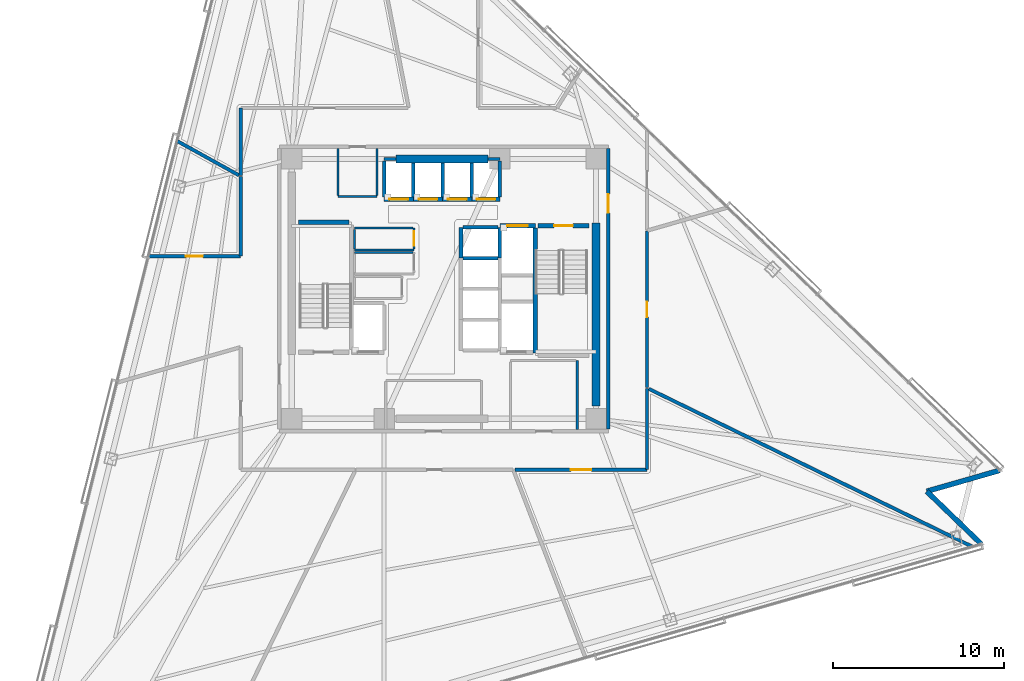
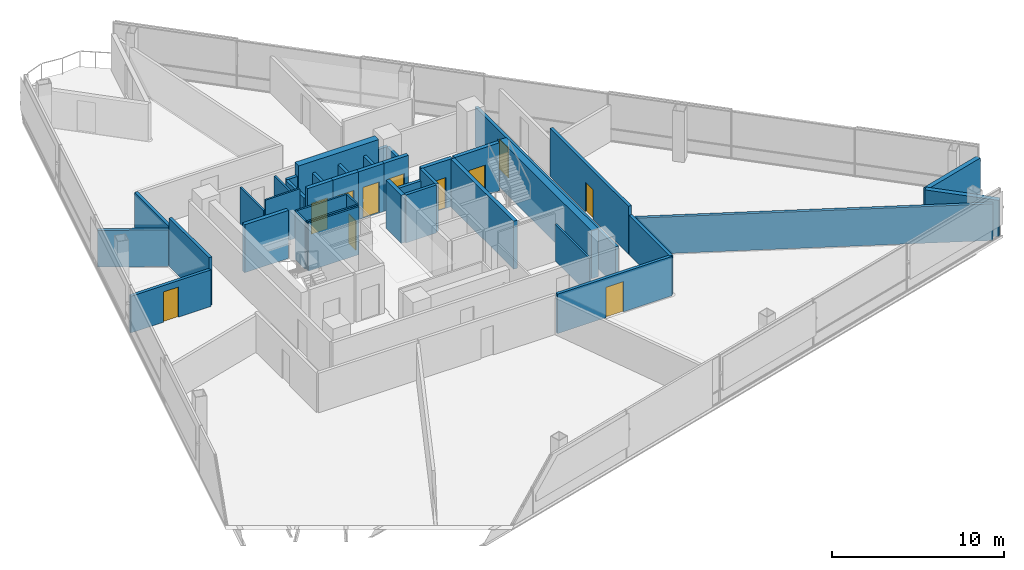
# One storey, part 10 of 17: 41 walls, 11 doors, 11 openings.
"""IFC4 building model written with IfcOpenShell, lengths in metres."""

import ifcopenshell
import ifcopenshell.guid

model = None  # the IFC model being written
_history = None  # IfcOwnerHistory: only IFC2X3 demands one
_inside = {}  # id of a spatial element -> (the spatial element, [elements in it])
_under = {}  # id of a project, library or spatial element -> (it, [spatial elements below it])
_declared = {}  # id of a project -> (the project, [libraries it declares])
_typed = {}  # id of a type object -> (the type object, [elements of that type])
_made_of = {}  # id of a material, layer set ... -> (it, [elements and type objects made of it])


def new_model(schema):
    """Start an empty IFC model of exactly this schema.

    Asked for "IFC4X3", IfcOpenShell would pick the latest addendum, in which some entities
    have other attributes; the version numbers below select the first issue.
    IFC2X3 requires an IfcOwnerHistory on every rooted entity: one is made here for all.
    """
    global model, _history
    if schema == "IFC4X3":
        model = ifcopenshell.file(schema_version=(4, 3, 0, 0))
    else:
        model = ifcopenshell.file(schema=schema)
    _inside.clear()
    _under.clear()
    _declared.clear()
    _typed.clear()
    _made_of.clear()
    _history = None
    if model.schema == "IFC2X3":
        org = make("IfcOrganization", Name="unknown")
        user = make(
            "IfcPersonAndOrganization",
            ThePerson=make("IfcPerson", FamilyName="unknown"),
            TheOrganization=org,
        )
        app = make(
            "IfcApplication",
            ApplicationDeveloper=org,
            Version="unknown",
            ApplicationFullName="unknown",
            ApplicationIdentifier="unknown",
        )
        _history = make(
            "IfcOwnerHistory",
            OwningUser=user,
            OwningApplication=app,
            ChangeAction="ADDED",
            CreationDate=0,
        )
    return model


def make(cls, **values):
    """One entity of the class cls with the attributes given. An attribute that is None is left unset."""
    return model.create_entity(
        cls, **{name: value for name, value in values.items() if value is not None}
    )


def rooted(cls, **values):
    """An entity with a GlobalId (a new one), such as an element, a storey or a relation."""
    return make(cls, GlobalId=ifcopenshell.guid.new(), OwnerHistory=_history, **values)


def si_unit(unit_type, name, prefix=None):
    """IfcSIUnit, for example si_unit("LENGTHUNIT", "METRE", prefix="MILLI")."""
    return make("IfcSIUnit", UnitType=unit_type, Prefix=prefix, Name=name)


def assignment(units):
    """IfcUnitAssignment: the units of a project."""
    return None if units is None else make("IfcUnitAssignment", Units=units)


def point(xyz):
    """IfcCartesianPoint."""
    return None if xyz is None else make("IfcCartesianPoint", Coordinates=xyz)


def direction(xyz):
    """IfcDirection."""
    return None if xyz is None else make("IfcDirection", DirectionRatios=xyz)


def frame(location, z_axis=None, x_axis=None):
    """IfcAxis2Placement3D, a coordinate frame: its origin and axes. An axis left out is left unset."""
    return make(
        "IfcAxis2Placement3D",
        Location=point(location),
        Axis=direction(z_axis),
        RefDirection=direction(x_axis),
    )


def frame_2d(location, x_axis=None):
    """IfcAxis2Placement2D, a coordinate frame in the plane: its origin and x axis."""
    return make(
        "IfcAxis2Placement2D", Location=point(location), RefDirection=direction(x_axis)
    )


def origin():
    """The frame at (0, 0, 0) with its axes left unset."""
    return frame((0.0, 0.0, 0.0))


def place(relative_to, where):
    """IfcLocalPlacement: puts the frame where relative to a parent placement (None: the world)."""
    return make(
        "IfcLocalPlacement", PlacementRelTo=relative_to, RelativePlacement=where
    )


def context(
    kind, dimensions, precision=None, world=None, true_north=None, identifier=None
):
    """IfcGeometricRepresentationContext, for example the 3D "Model" context."""
    return make(
        "IfcGeometricRepresentationContext",
        ContextIdentifier=identifier,
        ContextType=kind,
        CoordinateSpaceDimension=dimensions,
        Precision=precision,
        WorldCoordinateSystem=world,
        TrueNorth=true_north,
    )


def subcontext(parent, identifier, kind, view, scale=None):
    """IfcGeometricRepresentationSubContext, for example "Body" below "Model"."""
    return make(
        "IfcGeometricRepresentationSubContext",
        ContextIdentifier=identifier,
        ContextType=kind,
        ParentContext=parent,
        TargetScale=scale,
        TargetView=view,
    )


def project(units=None, contexts=None):
    """IfcProject with its units and contexts."""
    return rooted(
        "IfcProject",
        Name="project",
        RepresentationContexts=contexts,
        UnitsInContext=assignment(units),
    )


def spatial(cls, under=None, at=None, **own):
    """A site, building, storey or space (cls), placed at a placement, below another one or the project."""
    s = rooted(cls, ObjectPlacement=at, **own)
    if under is not None:
        _under.setdefault(under.id(), (under, []))[1].append(s)
    return s


def profile(cls, at=None, kind="AREA", **sizes):
    """A parametric profile (cls). Its sizes go by their IFC names, for example OverallWidth=200.0."""
    return make(cls, ProfileType=kind, Position=at, **sizes)


def rectangle(**sizes):
    """IfcRectangleProfileDef."""
    return profile("IfcRectangleProfileDef", **sizes)


def extrude(swept, where, along, depth):
    """IfcExtrudedAreaSolid: the profile swept, set in the frame where, extruded along a direction by depth."""
    return make(
        "IfcExtrudedAreaSolid",
        SweptArea=swept,
        Position=where,
        ExtrudedDirection=direction(along),
        Depth=depth,
    )


def shape(context_of_items, identifier, shape_type, items):
    """IfcShapeRepresentation: the items that make up one representation, for example the "Body"."""
    return make(
        "IfcShapeRepresentation",
        ContextOfItems=context_of_items,
        RepresentationIdentifier=identifier,
        RepresentationType=shape_type,
        Items=items,
    )


def material(Name=None, Category=None):
    """IfcMaterial."""
    return make("IfcMaterial", Name=Name, Category=Category)


def layer(
    of_material, thickness, ventilated=None, Name=None, Category=None, Priority=None
):
    """IfcMaterialLayer: one layer of a wall or slab, of a material (None: an air gap)."""
    return make(
        "IfcMaterialLayer",
        Material=of_material,
        LayerThickness=thickness,
        IsVentilated=ventilated,
        Name=Name,
        Category=Category,
        Priority=Priority,
    )


def layer_set(layers, Name=None):
    """IfcMaterialLayerSet."""
    return make("IfcMaterialLayerSet", MaterialLayers=layers, LayerSetName=Name)


def made_of(thing, what):
    """Note that an element or type object is made of a material, layer set ...; save() writes the relation."""
    if what is not None:
        _made_of.setdefault(what.id(), (what, []))[1].append(thing)
    return thing


def type_object(cls, material=None, **own):
    """A type object (cls), such as IfcWallType, which elements share."""
    return made_of(rooted(cls, **own), material)


def element(
    cls,
    number,
    at=None,
    inside=None,
    cuts=None,
    type_object=None,
    material=None,
    context=None,
    identifier="Body",
    shape_type=None,
    held_by="IfcProductDefinitionShape",
    body=None,
    shapes=None,
    **own,
):
    """One element of the class cls, such as IfcWall. Its Tag is "e" and its number.

    at: its placement. inside: the storey or other place that contains it. cuts: it is an
    opening in that element (IfcRelVoidsElement). A single representation is given by context,
    identifier, shape_type and body (its items); several are given by shapes. held_by: the class
    of the entity that holds the representations. save() writes the other relations.
    """
    e = rooted(cls, Tag="e%d" % number, ObjectPlacement=at, **own)
    if body is not None:
        shapes = [shape(context, identifier, shape_type, body)]
    if shapes is not None:
        e.Representation = make(held_by, Representations=shapes)
    if inside is not None:
        _inside.setdefault(inside.id(), (inside, []))[1].append(e)
    if cuts is not None:
        rooted(
            "IfcRelVoidsElement", RelatingBuildingElement=cuts, RelatedOpeningElement=e
        )
    if type_object is not None:
        _typed.setdefault(type_object.id(), (type_object, []))[1].append(e)
    return made_of(e, material)


def fill(opening, filler):
    """IfcRelFillsElement: the door or window that sits in an opening."""
    return rooted(
        "IfcRelFillsElement",
        RelatingOpeningElement=opening,
        RelatedBuildingElement=filler,
    )


def aggregate(whole, parts):
    """IfcRelAggregates: a whole, such as a stair, and the parts it consists of."""
    return rooted("IfcRelAggregates", RelatingObject=whole, RelatedObjects=parts)


def save(model, path):
    """Write the relations noted so far, then the file.

    IfcRelAggregates (storeys below a building ...), IfcRelContainedInSpatialStructure (elements
    in a storey), IfcRelDefinesByType, IfcRelAssociatesMaterial and IfcRelDeclares: one each for
    every whole, place, type object, material and project.
    """
    for whole, parts in _under.values():
        aggregate(whole, parts)
    for where, things in _inside.values():
        rooted(
            "IfcRelContainedInSpatialStructure",
            RelatedElements=things,
            RelatingStructure=where,
        )
    for kind, things in _typed.values():
        rooted("IfcRelDefinesByType", RelatedObjects=things, RelatingType=kind)
    for what, things in _made_of.values():
        rooted("IfcRelAssociatesMaterial", RelatedObjects=things, RelatingMaterial=what)
    for by, libraries in _declared.values():
        rooted("IfcRelDeclares", RelatingContext=by, RelatedDefinitions=libraries)
    model.write(path)


model = new_model("IFC4")

# Units and contexts
model_context = context("Model", 3, precision=1e-05, world=origin(), true_north=direction((0.0, 1.0)))
body_context = subcontext(model_context, "Body", "Model", "MODEL_VIEW")
ifc_project = project(units=[si_unit("LENGTHUNIT", "METRE"), si_unit("AREAUNIT", "SQUARE_METRE"), si_unit("VOLUMEUNIT", "CUBIC_METRE"), si_unit("PLANEANGLEUNIT", "RADIAN"), si_unit("MASSUNIT", "GRAM", prefix="KILO")], contexts=[model_context])

# Site, building, storey
site_placement = place(None, origin())
site = spatial("IfcSite", under=ifc_project, at=site_placement, CompositionType="ELEMENT")
building_placement = place(site_placement, origin())
building = spatial("IfcBuilding", under=site, at=building_placement, Name="Tharavind Bronze Gate", CompositionType="ELEMENT")
storey_placement = place(building_placement, frame((0.0, 0.0, 93.300048828125)))
storey = spatial("IfcBuildingStorey", under=building, at=storey_placement, Name="L23", CompositionType="ELEMENT", Elevation=93.300048828125)

# Walls
ifc_material_1 = material(Name="Concrete C40/50", Category="concrete")
ifc_layer_1 = layer(ifc_material_1, 0.300048828125)
ifc_layer_set_1 = layer_set([ifc_layer_1], Name="Concrete C40/50")
wall_type_1 = type_object("IfcWallType", Name="EXTERIOR SPANDREL WALL 300", PredefinedType="STANDARD", material=ifc_layer_set_1)
wall_1_placement = place(storey_placement, frame((31.438720703125, -14.926513671875, 0.0), z_axis=(0.0, 0.0, 1.0), x_axis=(-0.719317126864, 0.694681848763, 0.0)))
element("IfcWall", 1, at=wall_1_placement, inside=storey, type_object=wall_type_1, Name="L23 notch cheek wall 3A", PredefinedType="STANDARD", context=body_context, shape_type="SweptSolid", body=[
    extrude(rectangle(XDim=4.439697265625, YDim=0.300048828125, at=frame_2d((2.2197265625, 0.0))), origin(), (0.0, 0.0, 1.0), 2.60498046875),
])
wall_2_placement = place(storey_placement, frame((28.2451171875, -11.84228515625, 0.0), z_axis=(0.0, 0.0, 1.0), x_axis=(0.961255810825, 0.275657878821, 0.0)))
element("IfcWall", 2, at=wall_2_placement, inside=storey, type_object=wall_type_1, Name="L23 notch cheek wall 3B", PredefinedType="STANDARD", context=body_context, shape_type="SweptSolid", body=[
    extrude(rectangle(XDim=4.43994140625, YDim=0.300048828125, at=frame_2d((2.219970703125, 0.0))), origin(), (0.0, 0.0, 1.0), 2.60498046875),
])

# Wall, opening, door
ifc_material_2 = material(Name="Aerated Concrete Block", Category="concrete")
ifc_layer_2 = layer(ifc_material_2, 0.199951171875)
ifc_layer_set_2 = layer_set([ifc_layer_2], Name="Aerated Concrete Block")
wall_type_2 = type_object("IfcWallType", Name="FIRE RATED PARTITION 200", PredefinedType="PARTITIONING", material=ifc_layer_set_2)
wall_3_placement = place(storey_placement, frame((9.6201171875, -8.199951171875, 0.0), z_axis=(0.0, 0.0, 1.0), x_axis=(0.0, 1.0, 0.0)))
wall_3 = element("IfcWall", 3, at=wall_3_placement, inside=storey, type_object=wall_type_2, Name="L23 east core corridor wall", PredefinedType="PARTITIONING", context=body_context, shape_type="SweptSolid", body=[
    extrude(rectangle(XDim=16.39990234375, YDim=0.199951171875, at=frame_2d((8.199951171875, 0.0))), origin(), (0.0, 0.0, 1.0), 2.804931640625),
])
opening_1_placement = place(wall_3_placement, frame((12.64990234375, 0.0, 0.0)))
opening_1 = element("IfcOpeningElement", 4, at=opening_1_placement, cuts=wall_3, Name="Opening ID01", PredefinedType="OPENING", context=body_context, shape_type="SweptSolid", body=[
    extrude(rectangle(XDim=1.10009765625, YDim=2.14990234375, at=frame_2d((0.550048828125, 1.074951171875))), frame((0.0, 0.11009765625, 0.0), z_axis=(0.0, -1.0, 0.0), x_axis=(1.0, 0.0, 0.0)), (0.0, 0.0, 1.0), 0.219951171875),
])
ifc_material_3 = material(Name="Fire-Rated Steel", Category="steel")
door_type_1 = type_object("IfcDoorType", Name="STAIR CORE FIRE DOOR 1100X2150", OperationType="SINGLE_SWING_LEFT", PredefinedType="DOOR", material=ifc_material_3)
door_1_placement = place(opening_1_placement, frame((1.10009765625, 0.0, 0.0), z_axis=(0.0, 0.0, 1.0), x_axis=(-1.0, 0.0, 0.0)))
door_1 = element("IfcDoor", 5, at=door_1_placement, inside=storey, type_object=door_type_1, Name="L23 north east stair lobby fire door", OperationType="SINGLE_SWING_LEFT", OverallHeight=2.14990234375, OverallWidth=1.10009765625, PredefinedType="DOOR", context=body_context, shape_type="SweptSolid", body=[
    extrude(rectangle(XDim=1.10009765625, YDim=2.14990234375, at=frame_2d((0.550048828125, 1.074951171875))), frame((0.0, 0.02490234375, 0.0), z_axis=(0.0, -1.0, 0.0), x_axis=(1.0, 0.0, 0.0)), (0.0, 0.0, 1.0), 0.050048828125),
])
fill(opening_1, door_1)

# Walls
wall_4_placement = place(storey_placement, frame((-11.8798828125, 10.579345703125, 0.0), z_axis=(0.0, 0.0, 1.0), x_axis=(0.0, -1.0, 0.0)))
element("IfcWall", 6, at=wall_4_placement, inside=storey, type_object=wall_type_2, Name="L23 Boardroom partition", PredefinedType="PARTITIONING", context=body_context, shape_type="SweptSolid", body=[
    extrude(rectangle(XDim=3.95166015625, YDim=0.199951171875, at=frame_2d((1.975830078125, 0.0))), origin(), (0.0, 0.0, 1.0), 2.804931640625),
])
wall_5_placement = place(storey_placement, frame((-11.985107421875, 6.643310546875, 0.0), z_axis=(0.0, 0.0, 1.0), x_axis=(-0.874606418312, 0.484833593151, 0.0)))
element("IfcWall", 7, at=wall_5_placement, inside=storey, type_object=wall_type_2, Name="L23 Boardroom partition", PredefinedType="PARTITIONING", context=body_context, shape_type="SweptSolid", body=[
    extrude(rectangle(XDim=4.12451171875, YDim=0.199951171875, at=frame_2d((2.062255859375, 0.0))), origin(), (0.0, 0.0, 1.0), 2.60498046875),
])
wall_6_placement = place(storey_placement, frame((-11.8798828125, 6.570556640625, 0.0), z_axis=(0.0, 0.0, 1.0), x_axis=(0.0, -1.0, 0.0)))
element("IfcWall", 8, at=wall_6_placement, inside=storey, type_object=wall_type_2, Name="L23 Open Office Workplace West partition", PredefinedType="PARTITIONING", context=body_context, shape_type="SweptSolid", body=[
    extrude(rectangle(XDim=4.6455078125, YDim=0.199951171875, at=frame_2d((2.32275390625, 0.0))), origin(), (0.0, 0.0, 1.0), 3.409912109375),
])

# Wall, opening, door
wall_7_placement = place(storey_placement, frame((-11.905029296875, 1.89990234375, 0.0), z_axis=(0.0, 0.0, 1.0), x_axis=(-1.0, 0.0, 0.0)))
wall_7 = element("IfcWall", 9, at=wall_7_placement, inside=storey, type_object=wall_type_2, Name="L23 Open Office Workplace West partition", PredefinedType="PARTITIONING", context=body_context, shape_type="SweptSolid", body=[
    extrude(rectangle(XDim=5.3876953125, YDim=0.199951171875, at=frame_2d((2.69384765625, 0.0))), origin(), (0.0, 0.0, 1.0), 2.60498046875),
])
opening_2_placement = place(wall_7_placement, frame((2.194091796875, 0.0, 0.0)))
opening_2 = element("IfcOpeningElement", 10, at=opening_2_placement, cuts=wall_7, Name="Opening ID04", PredefinedType="OPENING", context=body_context, shape_type="SweptSolid", body=[
    extrude(rectangle(XDim=1.0, YDim=2.14990234375, at=frame_2d((0.5, 1.074951171875))), frame((0.0, 0.11009765625, 0.0), z_axis=(0.0, -1.0, 0.0), x_axis=(1.0, 0.0, 0.0)), (0.0, 0.0, 1.0), 0.219951171875),
])
ifc_material_4 = material(Name="Bronze Framed Acoustic Timber", Category="wood")
door_type_2 = type_object("IfcDoorType", Name="OFFICE TENANCY DOOR 1000X2150", OperationType="SINGLE_SWING_RIGHT", PredefinedType="DOOR", material=ifc_material_4)
door_2_placement = place(opening_2_placement, origin())
door_2 = element("IfcDoor", 11, at=door_2_placement, inside=storey, type_object=door_type_2, Name="L23 Open Office Workplace West door", OperationType="SINGLE_SWING_RIGHT", OverallHeight=2.14990234375, OverallWidth=1.0, PredefinedType="DOOR", context=body_context, shape_type="SweptSolid", body=[
    extrude(rectangle(XDim=1.0, YDim=2.14990234375, at=frame_2d((0.5, 1.074951171875))), frame((0.0, 0.02490234375, 0.0), z_axis=(0.0, -1.0, 0.0), x_axis=(1.0, 0.0, 0.0)), (0.0, 0.0, 1.0), 0.050048828125),
])
fill(opening_2, door_2)

wall_8_placement = place(storey_placement, frame((4.173583984375, -10.580078125, 0.0), z_axis=(0.0, 0.0, 1.0), x_axis=(1.0, 0.0, 0.0)))
wall_8 = element("IfcWall", 12, at=wall_8_placement, inside=storey, type_object=wall_type_2, Name="L23 Client Briefing Room partition", PredefinedType="PARTITIONING", context=body_context, shape_type="SweptSolid", body=[
    extrude(rectangle(XDim=7.705810546875, YDim=0.199951171875, at=frame_2d((3.85302734375, 0.0))), origin(), (0.0, 0.0, 1.0), 2.804931640625),
])
opening_3_placement = place(wall_8_placement, frame((3.2529296875, 0.0, 0.0)))
opening_3 = element("IfcOpeningElement", 13, at=opening_3_placement, cuts=wall_8, Name="Opening ID05", PredefinedType="OPENING", context=body_context, shape_type="SweptSolid", body=[
    extrude(rectangle(XDim=1.199951171875, YDim=2.14990234375, at=frame_2d((0.60009765625, 1.074951171875))), frame((0.0, 0.11009765625, 0.0), z_axis=(0.0, -1.0, 0.0), x_axis=(1.0, 0.0, 0.0)), (0.0, 0.0, 1.0), 0.219951171875),
])
ifc_material_5 = material(Name="Acoustic Laminated Glass", Category="glass")
door_type_3 = type_object("IfcDoorType", Name="MEETING ROOM GLAZED DOOR 1200X2150", OperationType="SINGLE_SWING_LEFT", PredefinedType="DOOR", material=ifc_material_5)
door_3_placement = place(opening_3_placement, origin())
door_3 = element("IfcDoor", 14, at=door_3_placement, inside=storey, type_object=door_type_3, Name="L23 Client Briefing Room door", OperationType="SINGLE_SWING_LEFT", OverallHeight=2.14990234375, OverallWidth=1.199951171875, PredefinedType="DOOR", context=body_context, shape_type="SweptSolid", body=[
    extrude(rectangle(XDim=1.199951171875, YDim=2.14990234375, at=frame_2d((0.60009765625, 1.074951171875))), frame((0.0, 0.02490234375, 0.0), z_axis=(0.0, -1.0, 0.0), x_axis=(1.0, 0.0, 0.0)), (0.0, 0.0, 1.0), 0.050048828125),
])
fill(opening_3, door_3)

# Walls
wall_9_placement = place(storey_placement, frame((11.8798828125, -10.579345703125, 0.0), z_axis=(0.0, 0.0, 1.0), x_axis=(0.0, 1.0, 0.0)))
element("IfcWall", 15, at=wall_9_placement, inside=storey, type_object=wall_type_2, Name="L23 Client Briefing Room partition", PredefinedType="PARTITIONING", context=body_context, shape_type="SweptSolid", body=[
    extrude(rectangle(XDim=4.7451171875, YDim=0.199951171875, at=frame_2d((2.37255859375, 0.0))), origin(), (0.0, 0.0, 1.0), 2.804931640625),
])
wall_10_placement = place(storey_placement, frame((11.985107421875, -5.845458984375, 0.0), z_axis=(0.0, 0.0, 1.0), x_axis=(0.898791396377, -0.438376579894, 0.0)))
element("IfcWall", 16, at=wall_10_placement, inside=storey, type_object=wall_type_2, Name="L23 Client Briefing Room partition", PredefinedType="PARTITIONING", context=body_context, shape_type="SweptSolid", body=[
    extrude(rectangle(XDim=21.059326171875, YDim=0.199951171875, at=frame_2d((10.52978515625, 0.0))), origin(), (0.0, 0.0, 1.0), 2.60498046875),
])

# Wall, opening, door
wall_11_placement = place(storey_placement, frame((11.8798828125, -5.778564453125, 0.0), z_axis=(0.0, 0.0, 1.0), x_axis=(0.0, 1.0, 0.0)))
wall_11 = element("IfcWall", 17, at=wall_11_placement, inside=storey, type_object=wall_type_2, Name="L23 Tea Pantry partition", PredefinedType="PARTITIONING", context=body_context, shape_type="SweptSolid", body=[
    extrude(rectangle(XDim=9.166259765625, YDim=0.199951171875, at=frame_2d((4.5830078125, 0.0))), origin(), (0.0, 0.0, 1.0), 3.409912109375),
])
opening_4_placement = place(wall_11_placement, frame((4.133056640625, 0.0, 0.0)))
opening_4 = element("IfcOpeningElement", 18, at=opening_4_placement, cuts=wall_11, Name="Opening ID07", PredefinedType="OPENING", context=body_context, shape_type="SweptSolid", body=[
    extrude(rectangle(XDim=0.89990234375, YDim=2.10009765625, at=frame_2d((0.449951171875, 1.050048828125))), frame((0.0, 0.11009765625, 0.0), z_axis=(0.0, -1.0, 0.0), x_axis=(1.0, 0.0, 0.0)), (0.0, 0.0, 1.0), 0.219951171875),
])
ifc_material_6 = material(Name="Galvanised Fire Steel", Category="steel")
door_type_4 = type_object("IfcDoorType", Name="PLANT AND RISER FIRE DOOR 900X2100", OperationType="SINGLE_SWING_LEFT", PredefinedType="DOOR", material=ifc_material_6)
door_4_placement = place(opening_4_placement, origin())
door_4 = element("IfcDoor", 19, at=door_4_placement, inside=storey, type_object=door_type_4, Name="L23 Tea Pantry door", OperationType="SINGLE_SWING_LEFT", OverallHeight=2.10009765625, OverallWidth=0.89990234375, PredefinedType="DOOR", context=body_context, shape_type="SweptSolid", body=[
    extrude(rectangle(XDim=0.89990234375, YDim=2.10009765625, at=frame_2d((0.449951171875, 1.050048828125))), frame((0.0, 0.02490234375, 0.0), z_axis=(0.0, -1.0, 0.0), x_axis=(1.0, 0.0, 0.0)), (0.0, 0.0, 1.0), 0.050048828125),
])
fill(opening_4, door_4)

# Wall
ifc_material_7 = material(Name="Metal Stud Gypsum Partition", Category="gypsum")
ifc_layer_3 = layer(ifc_material_7, 0.1201171875)
ifc_layer_set_3 = layer_set([ifc_layer_3], Name="Metal Stud Gypsum Partition")
wall_type_3 = type_object("IfcWallType", Name="INTERIOR PARTITION WALL 120", PredefinedType="PARTITIONING", material=ifc_layer_set_3)
wall_12_placement = place(storey_placement, frame((-5.219970703125, 2.280029296875, 0.0), z_axis=(0.0, 0.0, 1.0), x_axis=(1.0, 0.0, 0.0)))
element("IfcWall", 20, at=wall_12_placement, inside=storey, type_object=wall_type_3, Name="L23 Housekeeping Linen Store partition 1", PredefinedType="PARTITIONING", context=body_context, shape_type="SweptSolid", body=[
    extrude(rectangle(XDim=3.469970703125, YDim=0.1201171875, at=frame_2d((1.73486328125, 0.0))), origin(), (0.0, 0.0, 1.0), 3.409912109375),
])

# Wall, opening, door
wall_13_placement = place(storey_placement, frame((-1.75, 2.344970703125, 0.0), z_axis=(0.0, 0.0, 1.0), x_axis=(0.0, 1.0, 0.0)))
wall_13 = element("IfcWall", 21, at=wall_13_placement, inside=storey, type_object=wall_type_3, Name="L23 Housekeeping Linen Store partition 2", PredefinedType="PARTITIONING", context=body_context, shape_type="SweptSolid", body=[
    extrude(rectangle(XDim=1.205078125, YDim=0.1201171875, at=frame_2d((0.6025390625, 0.0))), origin(), (0.0, 0.0, 1.0), 3.409912109375),
])
opening_5_placement = place(wall_13_placement, frame((0.177001953125, 0.0, 0.0)))
opening_5 = element("IfcOpeningElement", 22, at=opening_5_placement, cuts=wall_13, Name="Opening ID06", PredefinedType="OPENING", context=body_context, shape_type="SweptSolid", body=[
    extrude(rectangle(XDim=0.85009765625, YDim=2.10009765625, at=frame_2d((0.425048828125, 1.050048828125))), frame((0.0, 0.07005859375, 0.0), z_axis=(0.0, -1.0, 0.0), x_axis=(1.0, 0.0, 0.0)), (0.0, 0.0, 1.0), 0.1401171875),
])
ifc_material_8 = material(Name="Moisture-Resistant Timber", Category="wood")
door_type_5 = type_object("IfcDoorType", Name="BATHROOM PRIVACY DOOR 850X2100", OperationType="SINGLE_SWING_RIGHT", PredefinedType="DOOR", material=ifc_material_8)
door_5_placement = place(opening_5_placement, frame((0.85009765625, 0.0, 0.0), z_axis=(0.0, 0.0, 1.0), x_axis=(-1.0, 0.0, 0.0)))
door_5 = element("IfcDoor", 23, at=door_5_placement, inside=storey, type_object=door_type_5, Name="L23 Housekeeping Linen Store door", OperationType="SINGLE_SWING_RIGHT", OverallHeight=2.10009765625, OverallWidth=0.85009765625, PredefinedType="DOOR", context=body_context, shape_type="SweptSolid", body=[
    extrude(rectangle(XDim=0.85009765625, YDim=2.10009765625, at=frame_2d((0.425048828125, 1.050048828125))), frame((0.0, 0.02490234375, 0.0), z_axis=(0.0, -1.0, 0.0), x_axis=(1.0, 0.0, 0.0)), (0.0, 0.0, 1.0), 0.050048828125),
])
fill(opening_5, door_5)

# Walls
wall_14_placement = place(storey_placement, frame((-1.81494140625, 3.550048828125, 0.0), z_axis=(0.0, 0.0, 1.0), x_axis=(-1.0, 0.0, 0.0)))
element("IfcWall", 24, at=wall_14_placement, inside=storey, type_object=wall_type_3, Name="L23 Housekeeping Linen Store partition 3", PredefinedType="PARTITIONING", context=body_context, shape_type="SweptSolid", body=[
    extrude(rectangle(XDim=3.405029296875, YDim=0.1201171875, at=frame_2d((1.70263671875, 0.0))), origin(), (0.0, 0.0, 1.0), 3.409912109375),
])
wall_15_placement = place(storey_placement, frame((-5.219970703125, 3.485107421875, 0.0), z_axis=(0.0, 0.0, 1.0), x_axis=(0.0, -1.0, 0.0)))
element("IfcWall", 25, at=wall_15_placement, inside=storey, type_object=wall_type_3, Name="L23 Housekeeping Linen Store partition 4", PredefinedType="PARTITIONING", context=body_context, shape_type="SweptSolid", body=[
    extrude(rectangle(XDim=1.14013671875, YDim=0.1201171875, at=frame_2d((0.570068359375, 0.0))), origin(), (0.0, 0.0, 1.0), 3.409912109375),
])
wall_16_placement = place(storey_placement, frame((-1.81494140625, 2.1201171875, 0.0), z_axis=(0.0, 0.0, 1.0), x_axis=(-1.0, 0.0, 0.0)))
element("IfcWall", 26, at=wall_16_placement, inside=storey, type_object=wall_type_3, Name="L23 Comms Data Room partition 3", PredefinedType="PARTITIONING", context=body_context, shape_type="SweptSolid", body=[
    extrude(rectangle(XDim=3.405029296875, YDim=0.1201171875, at=frame_2d((1.70263671875, 0.0))), origin(), (0.0, 0.0, 1.0), 3.409912109375),
])
wall_17_placement = place(storey_placement, frame((-6.199951171875, 5.39990234375, 0.0), z_axis=(0.0, 0.0, 1.0), x_axis=(1.0, 0.0, 0.0)))
element("IfcWall", 27, at=wall_17_placement, inside=storey, type_object=wall_type_3, Name="L23 Electrical Switch Cupboard partition 1", PredefinedType="PARTITIONING", context=body_context, shape_type="SweptSolid", body=[
    extrude(rectangle(XDim=2.300048828125, YDim=0.1201171875, at=frame_2d((1.14990234375, 0.0))), origin(), (0.0, 0.0, 1.0), 3.409912109375),
])
for number, where, z_axis, x_axis, name in (
    (28, (-3.89990234375, 5.465087890625, 0.0), (0.0, 0.0, 1.0), (0.0, 1.0, 0.0), "L23 Electrical Switch Cupboard partition 2"),
    (29, (-6.199951171875, 8.215087890625, 0.0), (0.0, 0.0, 1.0), (0.0, -1.0, 0.0), "L23 Electrical Switch Cupboard partition 4"),
):
    element("IfcWall", number, at=place(storey_placement, frame(where, z_axis=z_axis, x_axis=x_axis)), inside=storey, type_object=wall_type_3, Name=name, PredefinedType="PARTITIONING", context=body_context, shape_type="SweptSolid", body=[
        extrude(rectangle(XDim=2.75, YDim=0.1201171875, at=frame_2d((1.375, 0.0))), origin(), (0.0, 0.0, 1.0), 2.60498046875),
    ])
wall_18_placement = place(storey_placement, frame((7.800048828125, -8.215087890625, 0.0), z_axis=(0.0, 0.0, 1.0), x_axis=(0.0, 1.0, 0.0)))
element("IfcWall", 30, at=wall_18_placement, inside=storey, type_object=wall_type_3, Name="L23 Telecom Metering Room partition 2", PredefinedType="PARTITIONING", context=body_context, shape_type="SweptSolid", body=[
    extrude(rectangle(XDim=4.01513671875, YDim=0.1201171875, at=frame_2d((2.007568359375, 0.0))), origin(), (0.0, 0.0, 1.0), 2.60498046875),
])
ifc_material_9 = material(Name="Concrete C50/60", Category="concrete")
ifc_layer_4 = layer(ifc_material_9, 0.25)
ifc_layer_set_4 = layer_set([ifc_layer_4], Name="Concrete C50/60")
wall_type_4 = type_object("IfcWallType", Name="RC CORE SHEAR WALL 250", PredefinedType="SHEAR", material=ifc_layer_set_4)
wall_19_placement = place(storey_placement, frame((-8.5, 3.89990234375, 0.0), z_axis=(0.0, 0.0, 1.0), x_axis=(1.0, 0.0, 0.0)))
element("IfcWall", 31, at=wall_19_placement, inside=storey, type_object=wall_type_4, Name="L23 ST1 shaft north wall", PredefinedType="SHEAR", context=body_context, shape_type="SweptSolid", body=[
    extrude(rectangle(XDim=2.949951171875, YDim=0.25, at=frame_2d((1.47509765625, 0.0))), origin(), (0.0, 0.0, 1.0), 3.409912109375),
])
wall_20_placement = place(storey_placement, frame((5.35009765625, -3.75, 0.0), z_axis=(0.0, 0.0, 1.0), x_axis=(0.0, 1.0, 0.0)))
element("IfcWall", 32, at=wall_20_placement, inside=storey, type_object=wall_type_4, Name="L23 ST2 shaft west wall", PredefinedType="SHEAR", context=body_context, shape_type="SweptSolid", body=[
    extrude(rectangle(XDim=7.300048828125, YDim=0.25, at=frame_2d((3.64990234375, 0.0))), origin(), (0.0, 0.0, 1.0), 3.409912109375),
])

# Wall, opening, door
wall_21_placement = place(storey_placement, frame((5.5, 3.699951171875, 0.0), z_axis=(0.0, 0.0, 1.0), x_axis=(1.0, 0.0, 0.0)))
wall_21 = element("IfcWall", 33, at=wall_21_placement, inside=storey, type_object=wall_type_4, Name="L23 ST2 shaft north wall", PredefinedType="SHEAR", context=body_context, shape_type="SweptSolid", body=[
    extrude(rectangle(XDim=3.0, YDim=0.25, at=frame_2d((1.5, 0.0))), origin(), (0.0, 0.0, 1.0), 3.409912109375),
])
opening_6_placement = place(wall_21_placement, frame((0.949951171875, 0.0, 0.0)))
opening_6 = element("IfcOpeningElement", 34, at=opening_6_placement, cuts=wall_21, Name="Opening ID01", PredefinedType="OPENING", context=body_context, shape_type="SweptSolid", body=[
    extrude(rectangle(XDim=1.10009765625, YDim=2.14990234375, at=frame_2d((0.550048828125, 1.074951171875))), frame((0.0, 0.135, 0.0), z_axis=(0.0, -1.0, 0.0), x_axis=(1.0, 0.0, 0.0)), (0.0, 0.0, 1.0), 0.27),
])
door_6_placement = place(opening_6_placement, frame((1.10009765625, 0.0, 0.0), z_axis=(0.0, 0.0, 1.0), x_axis=(-1.0, 0.0, 0.0)))
door_6 = element("IfcDoor", 35, at=door_6_placement, inside=storey, type_object=door_type_1, Name="L23 exit stair ST2 fire door", OperationType="SINGLE_SWING_LEFT", OverallHeight=2.14990234375, OverallWidth=1.10009765625, PredefinedType="DOOR", context=body_context, shape_type="SweptSolid", body=[
    extrude(rectangle(XDim=1.10009765625, YDim=2.14990234375, at=frame_2d((0.550048828125, 1.074951171875))), frame((0.0, 0.02490234375, 0.0), z_axis=(0.0, -1.0, 0.0), x_axis=(1.0, 0.0, 0.0)), (0.0, 0.0, 1.0), 0.050048828125),
])
fill(opening_6, door_6)

wall_22_placement = place(storey_placement, frame((-3.5, 5.25, 0.0), z_axis=(0.0, 0.0, 1.0), x_axis=(1.0, 0.0, 0.0)))
wall_22 = element("IfcWall", 36, at=wall_22_placement, inside=storey, type_object=wall_type_4, Name="L23 lift PL5 shaft front wall", PredefinedType="SHEAR", context=body_context, shape_type="SweptSolid", body=[
    extrude(rectangle(XDim=1.71240234375, YDim=0.25, at=frame_2d((0.856201171875, 0.0))), origin(), (0.0, 0.0, 1.0), 3.409912109375),
])
opening_7_placement = place(wall_22_placement, frame((0.305908203125, 0.0, 0.0)))
opening_7 = element("IfcOpeningElement", 37, at=opening_7_placement, cuts=wall_22, Name="Opening LD01", PredefinedType="OPENING", context=body_context, shape_type="SweptSolid", body=[
    extrude(rectangle(XDim=1.10009765625, YDim=2.199951171875, at=frame_2d((0.550048828125, 1.10009765625))), frame((0.0, 0.135, 0.0), z_axis=(0.0, -1.0, 0.0), x_axis=(1.0, 0.0, 0.0)), (0.0, 0.0, 1.0), 0.27),
])
ifc_material_10 = material(Name="Brushed Bronze Stainless Steel", Category="steel")
door_type_6 = type_object("IfcDoorType", Name="LIFT LANDING SLIDING DOOR 1100X2200", OperationType="SLIDING_TO_LEFT", PredefinedType="DOOR", material=ifc_material_10)
door_7_placement = place(opening_7_placement, origin())
door_7 = element("IfcDoor", 38, at=door_7_placement, inside=storey, type_object=door_type_6, Name="L23 lift PL5 sliding landing door", OperationType="SLIDING_TO_LEFT", OverallHeight=2.199951171875, OverallWidth=1.10009765625, PredefinedType="DOOR", context=body_context, shape_type="SweptSolid", body=[
    extrude(rectangle(XDim=1.10009765625, YDim=2.199951171875, at=frame_2d((0.550048828125, 1.10009765625))), frame((0.0, 0.02490234375, 0.0), z_axis=(0.0, -1.0, 0.0), x_axis=(1.0, 0.0, 0.0)), (0.0, 0.0, 1.0), 0.050048828125),
])
fill(opening_7, door_7)

wall_23_placement = place(storey_placement, frame((-1.78759765625, 5.25, 0.0), z_axis=(0.0, 0.0, 1.0), x_axis=(1.0, 0.0, 0.0)))
wall_23 = element("IfcWall", 39, at=wall_23_placement, inside=storey, type_object=wall_type_4, Name="L23 lift PL6 shaft front wall", PredefinedType="SHEAR", context=body_context, shape_type="SweptSolid", body=[
    extrude(rectangle(XDim=1.712646484375, YDim=0.25, at=frame_2d((0.8564453125, 0.0))), origin(), (0.0, 0.0, 1.0), 3.409912109375),
])
opening_8_placement = place(wall_23_placement, frame((0.305908203125, 0.0, 0.0)))
opening_8 = element("IfcOpeningElement", 40, at=opening_8_placement, cuts=wall_23, Name="Opening LD01", PredefinedType="OPENING", context=body_context, shape_type="SweptSolid", body=[
    extrude(rectangle(XDim=1.10009765625, YDim=2.199951171875, at=frame_2d((0.550048828125, 1.10009765625))), frame((0.0, 0.135, 0.0), z_axis=(0.0, -1.0, 0.0), x_axis=(1.0, 0.0, 0.0)), (0.0, 0.0, 1.0), 0.27),
])
door_8_placement = place(opening_8_placement, origin())
door_8 = element("IfcDoor", 41, at=door_8_placement, inside=storey, type_object=door_type_6, Name="L23 lift PL6 sliding landing door", OperationType="SLIDING_TO_LEFT", OverallHeight=2.199951171875, OverallWidth=1.10009765625, PredefinedType="DOOR", context=body_context, shape_type="SweptSolid", body=[
    extrude(rectangle(XDim=1.10009765625, YDim=2.199951171875, at=frame_2d((0.550048828125, 1.10009765625))), frame((0.0, 0.02490234375, 0.0), z_axis=(0.0, -1.0, 0.0), x_axis=(1.0, 0.0, 0.0)), (0.0, 0.0, 1.0), 0.050048828125),
])
fill(opening_8, door_8)

wall_24_placement = place(storey_placement, frame((-0.074951171875, 5.25, 0.0), z_axis=(0.0, 0.0, 1.0), x_axis=(1.0, 0.0, 0.0)))
wall_24 = element("IfcWall", 42, at=wall_24_placement, inside=storey, type_object=wall_type_4, Name="L23 lift PL7 shaft front wall", PredefinedType="SHEAR", context=body_context, shape_type="SweptSolid", body=[
    extrude(rectangle(XDim=1.71240234375, YDim=0.25, at=frame_2d((0.856201171875, 0.0))), origin(), (0.0, 0.0, 1.0), 3.409912109375),
])
opening_9_placement = place(wall_24_placement, frame((0.305908203125, 0.0, 0.0)))
opening_9 = element("IfcOpeningElement", 43, at=opening_9_placement, cuts=wall_24, Name="Opening LD01", PredefinedType="OPENING", context=body_context, shape_type="SweptSolid", body=[
    extrude(rectangle(XDim=1.10009765625, YDim=2.199951171875, at=frame_2d((0.550048828125, 1.10009765625))), frame((0.0, 0.135, 0.0), z_axis=(0.0, -1.0, 0.0), x_axis=(1.0, 0.0, 0.0)), (0.0, 0.0, 1.0), 0.27),
])
door_9_placement = place(opening_9_placement, origin())
door_9 = element("IfcDoor", 44, at=door_9_placement, inside=storey, type_object=door_type_6, Name="L23 lift PL7 sliding landing door", OperationType="SLIDING_TO_LEFT", OverallHeight=2.199951171875, OverallWidth=1.10009765625, PredefinedType="DOOR", context=body_context, shape_type="SweptSolid", body=[
    extrude(rectangle(XDim=1.10009765625, YDim=2.199951171875, at=frame_2d((0.550048828125, 1.10009765625))), frame((0.0, 0.02490234375, 0.0), z_axis=(0.0, -1.0, 0.0), x_axis=(1.0, 0.0, 0.0)), (0.0, 0.0, 1.0), 0.050048828125),
])
fill(opening_9, door_9)

wall_25_placement = place(storey_placement, frame((1.637451171875, 5.25, 0.0), z_axis=(0.0, 0.0, 1.0), x_axis=(1.0, 0.0, 0.0)))
wall_25 = element("IfcWall", 45, at=wall_25_placement, inside=storey, type_object=wall_type_4, Name="L23 lift PL8 shaft front wall", PredefinedType="SHEAR", context=body_context, shape_type="SweptSolid", body=[
    extrude(rectangle(XDim=1.642578125, YDim=0.25, at=frame_2d((0.8212890625, 0.0))), origin(), (0.0, 0.0, 1.0), 3.409912109375),
])
opening_10_placement = place(wall_25_placement, frame((0.27099609375, 0.0, 0.0)))
opening_10 = element("IfcOpeningElement", 46, at=opening_10_placement, cuts=wall_25, Name="Opening LD01", PredefinedType="OPENING", context=body_context, shape_type="SweptSolid", body=[
    extrude(rectangle(XDim=1.10009765625, YDim=2.199951171875, at=frame_2d((0.550048828125, 1.10009765625))), frame((0.0, 0.135, 0.0), z_axis=(0.0, -1.0, 0.0), x_axis=(1.0, 0.0, 0.0)), (0.0, 0.0, 1.0), 0.27),
])
door_10_placement = place(opening_10_placement, origin())
door_10 = element("IfcDoor", 47, at=door_10_placement, inside=storey, type_object=door_type_6, Name="L23 lift PL8 sliding landing door", OperationType="SLIDING_TO_LEFT", OverallHeight=2.199951171875, OverallWidth=1.10009765625, PredefinedType="DOOR", context=body_context, shape_type="SweptSolid", body=[
    extrude(rectangle(XDim=1.10009765625, YDim=2.199951171875, at=frame_2d((0.550048828125, 1.10009765625))), frame((0.0, 0.02490234375, 0.0), z_axis=(0.0, -1.0, 0.0), x_axis=(1.0, 0.0, 0.0)), (0.0, 0.0, 1.0), 0.050048828125),
])
fill(opening_10, door_10)

# Wall
wall_26_placement = place(storey_placement, frame((1.0, 1.800048828125, 0.0), z_axis=(0.0, 0.0, 1.0), x_axis=(0.0, 1.0, 0.0)))
element("IfcWall", 48, at=wall_26_placement, inside=storey, type_object=wall_type_4, Name="L23 lift PL12 shaft front wall", PredefinedType="SHEAR", context=body_context, shape_type="SweptSolid", body=[
    extrude(rectangle(XDim=1.800048828125, YDim=0.25, at=frame_2d((0.89990234375, 0.0))), origin(), (0.0, 0.0, 1.0), 3.409912109375),
])

# Wall, opening, door
wall_27_placement = place(storey_placement, frame((3.280029296875, 3.699951171875, 0.0), z_axis=(0.0, 0.0, 1.0), x_axis=(1.0, 0.0, 0.0)))
wall_27 = element("IfcWall", 49, at=wall_27_placement, inside=storey, type_object=wall_type_4, Name="L23 lift FFL2 shaft front wall", PredefinedType="SHEAR", context=body_context, shape_type="SweptSolid", body=[
    extrude(rectangle(XDim=2.070068359375, YDim=0.25, at=frame_2d((1.03515625, 0.0))), origin(), (0.0, 0.0, 1.0), 3.409912109375),
])
opening_11_placement = place(wall_27_placement, frame((0.43505859375, 0.0, 0.0)))
opening_11 = element("IfcOpeningElement", 50, at=opening_11_placement, cuts=wall_27, Name="Opening LD02", PredefinedType="OPENING", context=body_context, shape_type="SweptSolid", body=[
    extrude(rectangle(XDim=1.199951171875, YDim=2.199951171875, at=frame_2d((0.60009765625, 1.10009765625))), frame((0.0, 0.135, 0.0), z_axis=(0.0, -1.0, 0.0), x_axis=(1.0, 0.0, 0.0)), (0.0, 0.0, 1.0), 0.27),
])
ifc_material_11 = material(Name="Brushed Stainless Steel", Category="steel")
door_type_7 = type_object("IfcDoorType", Name="FIREFIGHTING LIFT LANDING DOOR 1200X2200", OperationType="SLIDING_TO_RIGHT", PredefinedType="DOOR", material=ifc_material_11)
door_11_placement = place(opening_11_placement, origin())
door_11 = element("IfcDoor", 51, at=door_11_placement, inside=storey, type_object=door_type_7, Name="L23 lift FFL2 sliding landing door", OperationType="SLIDING_TO_RIGHT", OverallHeight=2.199951171875, OverallWidth=1.199951171875, PredefinedType="DOOR", context=body_context, shape_type="SweptSolid", body=[
    extrude(rectangle(XDim=1.199951171875, YDim=2.199951171875, at=frame_2d((0.60009765625, 1.10009765625))), frame((0.0, 0.02490234375, 0.0), z_axis=(0.0, -1.0, 0.0), x_axis=(1.0, 0.0, 0.0)), (0.0, 0.0, 1.0), 0.050048828125),
])
fill(opening_11, door_11)

# Walls
ifc_material_12 = material(Name="Concrete C60/75", Category="concrete")
ifc_layer_5 = layer(ifc_material_12, 0.449951171875)
ifc_layer_set_5 = layer_set([ifc_layer_5], Name="Concrete C60/75")
wall_type_5 = type_object("IfcWallType", Name="RC CORE SHEAR WALL 450", PredefinedType="SHEAR", material=ifc_layer_set_5)
wall_28_placement = place(storey_placement, frame((-2.800048828125, 7.60009765625, 0.0), z_axis=(0.0, 0.0, 1.0), x_axis=(1.0, 0.0, 0.0)))
element("IfcWall", 52, at=wall_28_placement, inside=storey, type_object=wall_type_5, Name="L23 north core shear wall", PredefinedType="SHEAR", context=body_context, shape_type="SweptSolid", body=[
    extrude(rectangle(XDim=5.380126953125, YDim=0.449951171875, at=frame_2d((2.68994140625, 0.0))), origin(), (0.0, 0.0, 1.0), 3.409912109375),
])
wall_29_placement = place(storey_placement, frame((8.89990234375, -6.85009765625, 0.0), z_axis=(0.0, 0.0, 1.0), x_axis=(0.0, 1.0, 0.0)))
element("IfcWall", 53, at=wall_29_placement, inside=storey, type_object=wall_type_5, Name="L23 east core shear wall", PredefinedType="SHEAR", context=body_context, shape_type="SweptSolid", body=[
    extrude(rectangle(XDim=10.7001953125, YDim=0.449951171875, at=frame_2d((5.35009765625, 0.0))), origin(), (0.0, 0.0, 1.0), 3.409912109375),
])
ifc_layer_6 = layer(ifc_material_1, 0.199951171875)
ifc_layer_set_6 = layer_set([ifc_layer_6], Name="Concrete C40/50")
wall_type_6 = type_object("IfcWallType", Name="SHAFT ENCLOSURE WALL 200", PredefinedType="PARTITIONING", material=ifc_layer_set_6)
wall_30_placement = place(storey_placement, frame((-3.5, 7.60009765625, 0.0), z_axis=(0.0, 0.0, 1.0), x_axis=(1.0, 0.0, 0.0)))
element("IfcWall", 54, at=wall_30_placement, inside=storey, type_object=wall_type_6, Name="L23 lift PL5 shaft N enclosure wall", PredefinedType="PARTITIONING", context=body_context, shape_type="SweptSolid", body=[
    extrude(rectangle(XDim=0.699951171875, YDim=0.199951171875, at=frame_2d((0.35009765625, 0.0))), origin(), (0.0, 0.0, 1.0), 2.60498046875),
])
wall_31_placement = place(storey_placement, frame((-3.5, 5.3798828125, 0.0), z_axis=(0.0, 0.0, 1.0), x_axis=(0.0, 1.0, 0.0)))
element("IfcWall", 55, at=wall_31_placement, inside=storey, type_object=wall_type_6, Name="L23 lift PL5 shaft W enclosure wall", PredefinedType="PARTITIONING", context=body_context, shape_type="SweptSolid", body=[
    extrude(rectangle(XDim=2.115234375, YDim=0.199951171875, at=frame_2d((1.0576171875, 0.0))), origin(), (0.0, 0.0, 1.0), 2.60498046875),
])
for number, where, z_axis, x_axis, name in (
    (56, (-1.78759765625, 5.3798828125, 0.0), (0.0, 0.0, 1.0), (0.0, 1.0, 0.0), "L23 lift PL5 shaft E enclosure wall"),
    (57, (-0.074951171875, 5.3798828125, 0.0), (0.0, 0.0, 1.0), (0.0, 1.0, 0.0), "L23 lift PL6 shaft E enclosure wall"),
    (58, (1.637451171875, 5.3798828125, 0.0), (0.0, 0.0, 1.0), (0.0, 1.0, 0.0), "L23 lift PL7 shaft E enclosure wall"),
):
    element("IfcWall", number, at=place(storey_placement, frame(where, z_axis=z_axis, x_axis=x_axis)), inside=storey, type_object=wall_type_6, Name=name, PredefinedType="PARTITIONING", context=body_context, shape_type="SweptSolid", body=[
        extrude(rectangle(XDim=1.990234375, YDim=0.199951171875, at=frame_2d((0.9951171875, 0.0))), origin(), (0.0, 0.0, 1.0), 2.60498046875),
    ])
wall_32_placement = place(storey_placement, frame((2.580078125, 7.60009765625, 0.0), z_axis=(0.0, 0.0, 1.0), x_axis=(1.0, 0.0, 0.0)))
element("IfcWall", 59, at=wall_32_placement, inside=storey, type_object=wall_type_6, Name="L23 lift PL8 shaft N enclosure wall", PredefinedType="PARTITIONING", context=body_context, shape_type="SweptSolid", body=[
    extrude(rectangle(XDim=0.699951171875, YDim=0.199951171875, at=frame_2d((0.35009765625, 0.0))), origin(), (0.0, 0.0, 1.0), 2.60498046875),
])
wall_33_placement = place(storey_placement, frame((3.280029296875, 5.3798828125, 0.0), z_axis=(0.0, 0.0, 1.0), x_axis=(0.0, 1.0, 0.0)))
element("IfcWall", 60, at=wall_33_placement, inside=storey, type_object=wall_type_6, Name="L23 lift PL8 shaft E enclosure wall", PredefinedType="PARTITIONING", context=body_context, shape_type="SweptSolid", body=[
    extrude(rectangle(XDim=2.115234375, YDim=0.199951171875, at=frame_2d((1.0576171875, 0.0))), origin(), (0.0, 0.0, 1.0), 2.60498046875),
])
wall_34_placement = place(storey_placement, frame((1.1298828125, 1.800048828125, 0.0), z_axis=(0.0, 0.0, 1.0), x_axis=(1.0, 0.0, 0.0)))
element("IfcWall", 61, at=wall_34_placement, inside=storey, type_object=wall_type_6, Name="L23 lift PL11 shaft N enclosure wall", PredefinedType="PARTITIONING", context=body_context, shape_type="SweptSolid", body=[
    extrude(rectangle(XDim=2.045166015625, YDim=0.199951171875, at=frame_2d((1.0224609375, 0.0))), origin(), (0.0, 0.0, 1.0), 3.409912109375),
])
wall_35_placement = place(storey_placement, frame((3.280029296875, 1.800048828125, 0.0), z_axis=(0.0, 0.0, 1.0), x_axis=(0.0, 1.0, 0.0)))
element("IfcWall", 62, at=wall_35_placement, inside=storey, type_object=wall_type_6, Name="L23 lift PL12 shaft E enclosure wall", PredefinedType="PARTITIONING", context=body_context, shape_type="SweptSolid", body=[
    extrude(rectangle(XDim=1.800048828125, YDim=0.199951171875, at=frame_2d((0.89990234375, 0.0))), origin(), (0.0, 0.0, 1.0), 3.409912109375),
])
wall_36_placement = place(storey_placement, frame((1.1298828125, 3.60009765625, 0.0), z_axis=(0.0, 0.0, 1.0), x_axis=(1.0, 0.0, 0.0)))
element("IfcWall", 63, at=wall_36_placement, inside=storey, type_object=wall_type_6, Name="L23 lift PL12 shaft N enclosure wall", PredefinedType="PARTITIONING", context=body_context, shape_type="SweptSolid", body=[
    extrude(rectangle(XDim=2.045166015625, YDim=0.199951171875, at=frame_2d((1.0224609375, 0.0))), origin(), (0.0, 0.0, 1.0), 2.60498046875),
])

save(model, "model.ifc")
